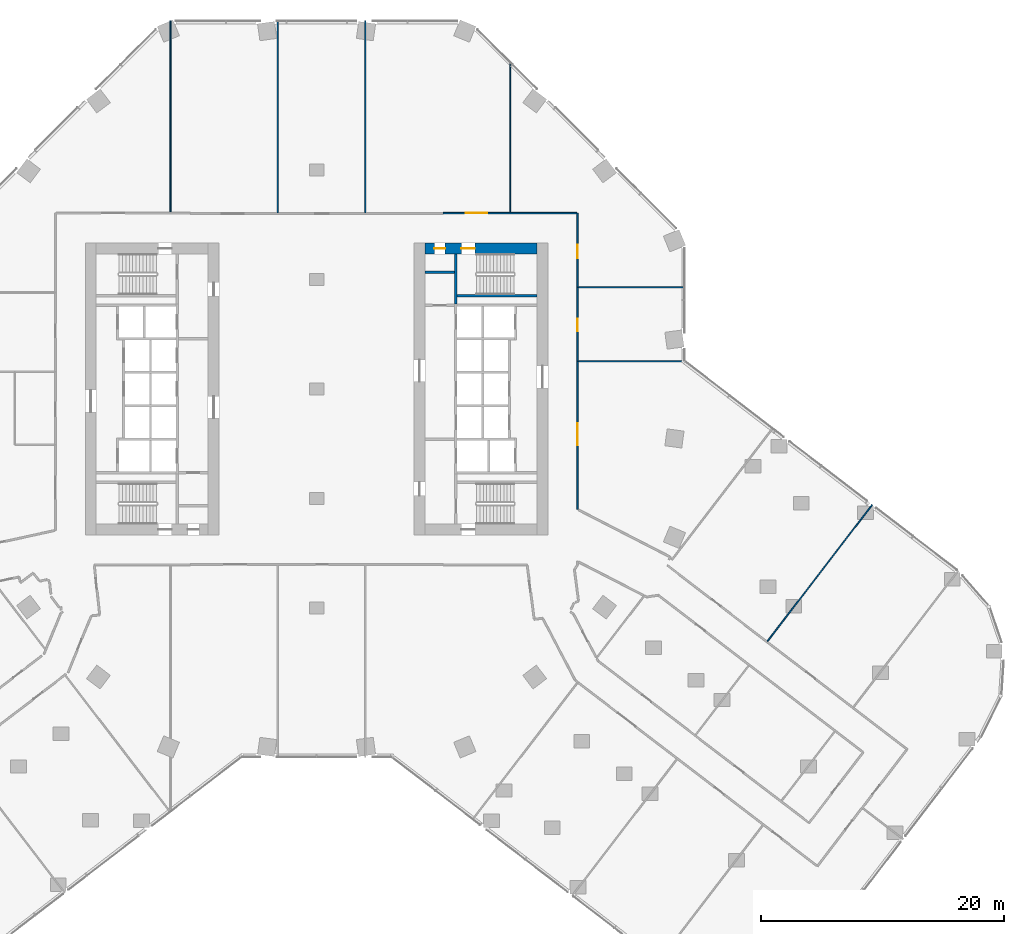
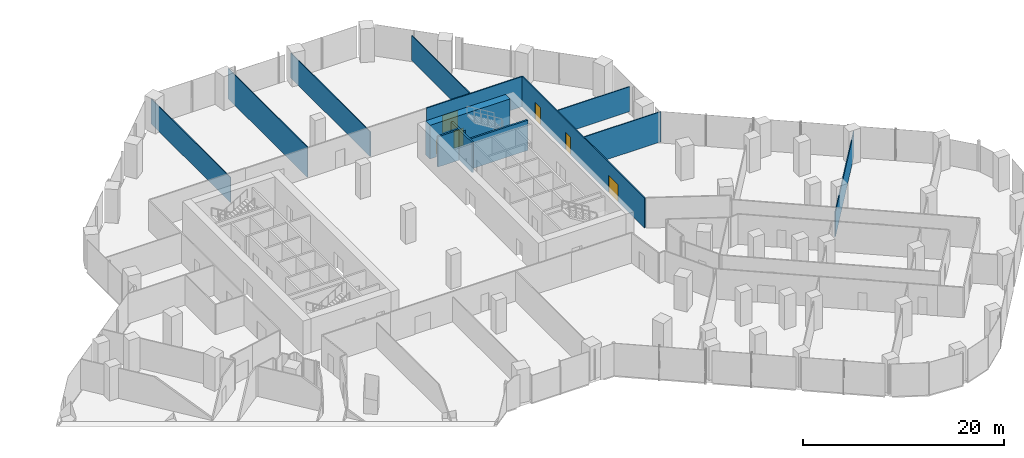
# One storey, part 26 of 29: 13 walls, 6 doors, 6 openings.
"""IFC4 building model written with IfcOpenShell, lengths in metres."""

from ifc_helpers import new_model, si_unit, direction, frame, frame_2d, origin, place, context, subcontext, project, spatial, rectangle, extrude, material, layer, layer_set, type_object, element, fill, save


model = new_model("IFC4")

# Units and contexts
model_context = context("Model", 3, precision=1e-05, world=origin(), true_north=direction((0.0, 1.0)))
body_context = subcontext(model_context, "Body", "Model", "MODEL_VIEW")
ifc_project = project(units=[si_unit("LENGTHUNIT", "METRE"), si_unit("AREAUNIT", "SQUARE_METRE"), si_unit("VOLUMEUNIT", "CUBIC_METRE"), si_unit("PLANEANGLEUNIT", "RADIAN"), si_unit("MASSUNIT", "GRAM", prefix="KILO")], contexts=[model_context])

# Site, building, storey
site_placement = place(None, origin())
site = spatial("IfcSite", under=ifc_project, at=site_placement, CompositionType="ELEMENT")
building_placement = place(site_placement, origin())
building = spatial("IfcBuilding", under=site, at=building_placement, Name="Orlundy Tower", CompositionType="ELEMENT")
storey_placement = place(building_placement, frame((0.0, 0.0, 29.199951171875)))
storey = spatial("IfcBuildingStorey", under=building, at=storey_placement, Name="L05", CompositionType="ELEMENT", Elevation=29.199951171875)

# Wall, openings, doors
ifc_material_1 = material(Name="Concrete C80/95", Category="concrete")
ifc_layer_1 = layer(ifc_material_1, 0.89990234375)
ifc_layer_set_1 = layer_set([ifc_layer_1], Name="CORE WALL 900 C80/95")
wall_type_1 = type_object("IfcWallType", Name="CORE WALL 900 C80/95", PredefinedType="SHEAR", material=ifc_layer_set_1)
wall_1_placement = place(storey_placement, frame((8.89990234375, 11.550048828125, 0.0), z_axis=(0.0, 0.0, 1.0), x_axis=(1.0, 0.0, 0.0)))
wall_1 = element("IfcWall", 1, at=wall_1_placement, inside=storey, type_object=wall_type_1, Name="Core wall E-N L05", PredefinedType="SHEAR", context=body_context, shape_type="SweptSolid", body=[
    extrude(rectangle(XDim=9.2001953125, YDim=0.89990234375, at=frame_2d((4.60009765625, 0.0))), origin(), (0.0, 0.0, 1.0), 4.10009765625),
])
opening_1_placement = place(wall_1_placement, frame((3.0, 0.0, 0.0)))
opening_1 = element("IfcOpeningElement", 2, at=opening_1_placement, cuts=wall_1, Name="Opening 06062", PredefinedType="OPENING", context=body_context, shape_type="SweptSolid", body=[
    extrude(rectangle(XDim=1.10009765625, YDim=2.10009765625, at=frame_2d((0.550048828125, 1.050048828125))), frame((0.0, 0.4599609375, 0.0), z_axis=(0.0, -1.0, 0.0), x_axis=(1.0, 0.0, 0.0)), (0.0, 0.0, 1.0), 0.919921875),
])
opening_2_placement = place(wall_1_placement, frame((0.77001953125, 0.0, 0.0)))
opening_2 = element("IfcOpeningElement", 3, at=opening_2_placement, cuts=wall_1, Name="Opening 06064", PredefinedType="OPENING", context=body_context, shape_type="SweptSolid", body=[
    extrude(rectangle(XDim=0.89990234375, YDim=2.10009765625, at=frame_2d((0.449951171875, 1.050048828125))), frame((0.0, 0.4599609375, 0.0), z_axis=(0.0, -1.0, 0.0), x_axis=(1.0, 0.0, 0.0)), (0.0, 0.0, 1.0), 0.919921875),
])
ifc_material_2 = material(Name="Timber door set", Category="wood")
door_type_1 = type_object("IfcDoorType", Name="Room Door 900x2100", OperationType="SINGLE_SWING_LEFT", PredefinedType="DOOR", material=ifc_material_2)
door_1_placement = place(opening_2_placement, origin())
door_1 = element("IfcDoor", 4, at=door_1_placement, inside=storey, type_object=door_type_1, Name="Store door 06064", OperationType="SINGLE_SWING_LEFT", OverallHeight=2.10009765625, OverallWidth=0.89990234375, PredefinedType="DOOR", context=body_context, shape_type="SweptSolid", body=[
    extrude(rectangle(XDim=0.89990234375, YDim=2.10009765625, at=frame_2d((0.449951171875, 1.050048828125))), frame((0.0, 0.02490234375, 0.0), z_axis=(0.0, -1.0, 0.0), x_axis=(1.0, 0.0, 0.0)), (0.0, 0.0, 1.0), 0.050048828125),
])
fill(opening_2, door_1)
ifc_material_3 = material(Name="Steel door set", Category="steel")
door_type_2 = type_object("IfcDoorType", Name="Stair Door 1100x2100", OperationType="SINGLE_SWING_LEFT", PredefinedType="DOOR", material=ifc_material_3)
door_2_placement = place(opening_1_placement, origin())
door_2 = element("IfcDoor", 5, at=door_2_placement, inside=storey, type_object=door_type_2, Name="Stair door 06062", OperationType="SINGLE_SWING_LEFT", OverallHeight=2.10009765625, OverallWidth=1.10009765625, PredefinedType="DOOR", context=body_context, shape_type="SweptSolid", body=[
    extrude(rectangle(XDim=1.10009765625, YDim=2.10009765625, at=frame_2d((0.550048828125, 1.050048828125))), frame((0.0, 0.02490234375, 0.0), z_axis=(0.0, -1.0, 0.0), x_axis=(1.0, 0.0, 0.0)), (0.0, 0.0, 1.0), 0.050048828125),
])
fill(opening_1, door_2)

# Walls
ifc_material_4 = material(Name="Gypsum board partition")
ifc_layer_2 = layer(ifc_material_4, 0.10009765625)
ifc_layer_set_2 = layer_set([ifc_layer_2], Name="Floor partition 100")
wall_type_2 = type_object("IfcWallType", Name="Floor partition 100", PredefinedType="PARTITIONING", material=ifc_layer_set_2)
wall_2_placement = place(storey_placement, frame((21.511962890625, 2.278076171875, 0.0), z_axis=(0.0, 0.0, 1.0), x_axis=(1.0, 0.0, 0.0)))
element("IfcWall", 6, at=wall_2_placement, inside=storey, type_object=wall_type_2, Name="wall-int-L05-045", PredefinedType="PARTITIONING", context=body_context, shape_type="SweptSolid", body=[
    extrude(rectangle(XDim=8.783935546875, YDim=0.10009765625, at=frame_2d((4.39208984375, 0.0))), origin(), (0.0, 0.0, 1.0), 3.66015625),
])
wall_3_placement = place(storey_placement, frame((-3.195068359375, 14.462890625, 0.0), z_axis=(0.0, 0.0, 1.0), x_axis=(0.0, 1.0, 0.0)))
element("IfcWall", 7, at=wall_3_placement, inside=storey, type_object=wall_type_2, Name="wall-int-L05-096", PredefinedType="PARTITIONING", context=body_context, shape_type="SweptSolid", body=[
    extrude(rectangle(XDim=15.787109375, YDim=0.10009765625, at=frame_2d((7.8935546875, 0.0))), origin(), (0.0, 0.0, 1.0), 3.66015625),
])
ifc_material_5 = material(Name="Gypsum board partition")
ifc_layer_3 = layer(ifc_material_5, 0.10009765625)
ifc_layer_set_3 = layer_set([ifc_layer_3], Name="Floor partition 100 B")
wall_type_3 = type_object("IfcWallType", Name="Floor partition 100 B", PredefinedType="PARTITIONING", material=ifc_layer_set_3)
wall_4_placement = place(storey_placement, frame((21.511962890625, 8.363037109375, 0.0), z_axis=(0.0, 0.0, 1.0), x_axis=(1.0, 0.0, 0.0)))
element("IfcWall", 8, at=wall_4_placement, inside=storey, type_object=wall_type_3, Name="wall-int-L05-047", PredefinedType="PARTITIONING", context=body_context, shape_type="SweptSolid", body=[
    extrude(rectangle(XDim=8.738037109375, YDim=0.10009765625, at=frame_2d((4.369140625, 0.0))), origin(), (0.0, 0.0, 1.0), 3.025146484375),
])
wall_5_placement = place(storey_placement, frame((37.0419921875, -20.718017578125, 0.0), z_axis=(0.0, 0.0, 1.0), x_axis=(0.608775561638, 0.793342495743, 0.0)))
element("IfcWall", 9, at=wall_5_placement, inside=storey, type_object=wall_type_3, Name="wall-int-L05-081", PredefinedType="PARTITIONING", context=body_context, shape_type="SweptSolid", body=[
    extrude(rectangle(XDim=14.136474609375, YDim=0.10009765625, at=frame_2d((7.068359375, 0.0))), origin(), (0.0, 0.0, 1.0), 3.025146484375),
])
wall_6_placement = place(storey_placement, frame((15.9208984375, 14.513916015625, 0.0), z_axis=(0.0, 0.0, 1.0), x_axis=(0.0, 1.0, 0.0)))
element("IfcWall", 10, at=wall_6_placement, inside=storey, type_object=wall_type_3, Name="wall-int-L05-092", PredefinedType="PARTITIONING", context=body_context, shape_type="SweptSolid", body=[
    extrude(rectangle(XDim=12.344970703125, YDim=0.10009765625, at=frame_2d((6.17236328125, 0.0))), origin(), (0.0, 0.0, 1.0), 3.025146484375),
])
wall_7_placement = place(storey_placement, frame((4.0, 14.462890625, 0.0), z_axis=(0.0, 0.0, 1.0), x_axis=(0.0, 1.0, 0.0)))
element("IfcWall", 11, at=wall_7_placement, inside=storey, type_object=wall_type_3, Name="wall-int-L05-094", PredefinedType="PARTITIONING", context=body_context, shape_type="SweptSolid", body=[
    extrude(rectangle(XDim=15.787109375, YDim=0.10009765625, at=frame_2d((7.8935546875, 0.0))), origin(), (0.0, 0.0, 1.0), 3.025146484375),
])
wall_8_placement = place(storey_placement, frame((-12.0, 14.513916015625, 0.0), z_axis=(0.0, 0.0, 1.0), x_axis=(0.0, 1.0, 0.0)))
element("IfcWall", 12, at=wall_8_placement, inside=storey, type_object=wall_type_3, Name="wall-int-L05-098", PredefinedType="PARTITIONING", context=body_context, shape_type="SweptSolid", body=[
    extrude(rectangle(XDim=15.736083984375, YDim=0.10009765625, at=frame_2d((7.8681640625, 0.0))), origin(), (0.0, 0.0, 1.0), 3.025146484375),
])

# Wall, opening, door
ifc_material_6 = material(Name="Gypsum board partition, double layer")
ifc_layer_4 = layer(ifc_material_6, 0.125)
ifc_layer_set_4 = layer_set([ifc_layer_4], Name="Floor partition 125")
wall_type_4 = type_object("IfcWallType", Name="Floor partition 125", PredefinedType="PARTITIONING", material=ifc_layer_set_4)
wall_9_placement = place(storey_placement, frame((10.39111328125, 14.450927734375, 0.0), z_axis=(0.0, 0.0, 1.0), x_axis=(1.0, 0.0, 0.0)))
wall_9 = element("IfcWall", 13, at=wall_9_placement, inside=storey, type_object=wall_type_4, Name="wall-int-L05-050", PredefinedType="PARTITIONING", context=body_context, shape_type="SweptSolid", body=[
    extrude(rectangle(XDim=10.995849609375, YDim=0.125, at=frame_2d((5.498046875, 0.0))), origin(), (0.0, 0.0, 1.0), 3.66015625),
])
opening_3_placement = place(wall_9_placement, frame((1.85009765625, 0.0, 0.0)))
opening_3 = element("IfcOpeningElement", 14, at=opening_3_placement, cuts=wall_9, Name="Opening 06134", PredefinedType="OPENING", context=body_context, shape_type="SweptSolid", body=[
    extrude(rectangle(XDim=1.800048828125, YDim=2.10009765625, at=frame_2d((0.89990234375, 1.050048828125))), frame((0.0, 0.072509765625, 0.0), z_axis=(0.0, -1.0, 0.0), x_axis=(1.0, 0.0, 0.0)), (0.0, 0.0, 1.0), 0.14501953125),
])
ifc_material_7 = material(Name="Timber door leaf", Category="wood")
door_type_3 = type_object("IfcDoorType", Name="Floor door double 1800 FD30S", OperationType="NOTDEFINED", PredefinedType="DOOR", material=ifc_material_7)
door_3_placement = place(opening_3_placement, origin())
door_3 = element("IfcDoor", 15, at=door_3_placement, inside=storey, type_object=door_type_3, Name="Door 06134", OperationType="DOUBLE_DOOR_SINGLE_SWING", OverallHeight=2.10009765625, OverallWidth=1.800048828125, PredefinedType="DOOR", context=body_context, shape_type="SweptSolid", body=[
    extrude(rectangle(XDim=1.800048828125, YDim=2.10009765625, at=frame_2d((0.89990234375, 1.050048828125))), frame((0.0, 0.02490234375, 0.0), z_axis=(0.0, -1.0, 0.0), x_axis=(1.0, 0.0, 0.0)), (0.0, 0.0, 1.0), 0.050048828125),
])
fill(opening_3, door_3)

# Wall, openings, doors
wall_10_placement = place(storey_placement, frame((21.449951171875, 14.450927734375, 0.0), z_axis=(0.0, 0.0, 1.0), x_axis=(0.0, -1.0, 0.0)))
wall_10 = element("IfcWall", 16, at=wall_10_placement, inside=storey, type_object=wall_type_4, Name="wall-int-L05-091", PredefinedType="PARTITIONING", context=body_context, shape_type="SweptSolid", body=[
    extrude(rectangle(XDim=24.343994140625, YDim=0.125, at=frame_2d((12.171875, 0.0))), origin(), (0.0, 0.0, 1.0), 3.66015625),
])
opening_4_placement = place(wall_10_placement, frame((17.27294921875, 0.0, 0.0)))
opening_4 = element("IfcOpeningElement", 17, at=opening_4_placement, cuts=wall_10, Name="Opening 06131", PredefinedType="OPENING", context=body_context, shape_type="SweptSolid", body=[
    extrude(rectangle(XDim=1.800048828125, YDim=2.10009765625, at=frame_2d((0.89990234375, 1.050048828125))), frame((0.0, 0.072509765625, 0.0), z_axis=(0.0, -1.0, 0.0), x_axis=(1.0, 0.0, 0.0)), (0.0, 0.0, 1.0), 0.14501953125),
])
opening_5_placement = place(wall_10_placement, frame((8.68798828125, 0.0, 0.0)))
opening_5 = element("IfcOpeningElement", 18, at=opening_5_placement, cuts=wall_10, Name="Opening 06132", PredefinedType="OPENING", context=body_context, shape_type="SweptSolid", body=[
    extrude(rectangle(XDim=1.0, YDim=2.10009765625, at=frame_2d((0.5, 1.050048828125))), frame((0.0, 0.072509765625, 0.0), z_axis=(0.0, -1.0, 0.0), x_axis=(1.0, 0.0, 0.0)), (0.0, 0.0, 1.0), 0.14501953125),
])
opening_6_placement = place(wall_10_placement, frame((2.60009765625, 0.0, 0.0)))
opening_6 = element("IfcOpeningElement", 19, at=opening_6_placement, cuts=wall_10, Name="Opening 06133", PredefinedType="OPENING", context=body_context, shape_type="SweptSolid", body=[
    extrude(rectangle(XDim=1.10009765625, YDim=2.10009765625, at=frame_2d((0.550048828125, 1.050048828125))), frame((0.0, 0.072509765625, 0.0), z_axis=(0.0, -1.0, 0.0), x_axis=(1.0, 0.0, 0.0)), (0.0, 0.0, 1.0), 0.14501953125),
])
door_4_placement = place(opening_4_placement, origin())
door_4 = element("IfcDoor", 20, at=door_4_placement, inside=storey, type_object=door_type_3, Name="Door 06131", OperationType="DOUBLE_DOOR_SINGLE_SWING", OverallHeight=2.10009765625, OverallWidth=1.800048828125, PredefinedType="DOOR", context=body_context, shape_type="SweptSolid", body=[
    extrude(rectangle(XDim=1.800048828125, YDim=2.10009765625, at=frame_2d((0.89990234375, 1.050048828125))), frame((0.0, 0.02490234375, 0.0), z_axis=(0.0, -1.0, 0.0), x_axis=(1.0, 0.0, 0.0)), (0.0, 0.0, 1.0), 0.050048828125),
])
fill(opening_4, door_4)
ifc_material_8 = material(Name="Timber door leaf", Category="wood")
door_type_4 = type_object("IfcDoorType", Name="Floor door wide 1000 FD30S", OperationType="NOTDEFINED", PredefinedType="DOOR", material=ifc_material_8)
door_5_placement = place(opening_5_placement, origin())
door_5 = element("IfcDoor", 21, at=door_5_placement, inside=storey, type_object=door_type_4, Name="Door 06132", OperationType="SINGLE_SWING_LEFT", OverallHeight=2.10009765625, OverallWidth=1.0, PredefinedType="DOOR", context=body_context, shape_type="SweptSolid", body=[
    extrude(rectangle(XDim=1.0, YDim=2.10009765625, at=frame_2d((0.5, 1.050048828125))), frame((0.0, 0.02490234375, 0.0), z_axis=(0.0, -1.0, 0.0), x_axis=(1.0, 0.0, 0.0)), (0.0, 0.0, 1.0), 0.050048828125),
])
fill(opening_5, door_5)
ifc_material_9 = material(Name="Timber door leaf", Category="wood")
door_type_5 = type_object("IfcDoorType", Name="Floor door xwide 1100 FD30S", OperationType="NOTDEFINED", PredefinedType="DOOR", material=ifc_material_9)
door_6_placement = place(opening_6_placement, origin())
door_6 = element("IfcDoor", 22, at=door_6_placement, inside=storey, type_object=door_type_5, Name="Door 06133", OperationType="SINGLE_SWING_LEFT", OverallHeight=2.10009765625, OverallWidth=1.10009765625, PredefinedType="DOOR", context=body_context, shape_type="SweptSolid", body=[
    extrude(rectangle(XDim=1.10009765625, YDim=2.10009765625, at=frame_2d((0.550048828125, 1.050048828125))), frame((0.0, 0.02490234375, 0.0), z_axis=(0.0, -1.0, 0.0), x_axis=(1.0, 0.0, 0.0)), (0.0, 0.0, 1.0), 0.050048828125),
])
fill(opening_6, door_6)

# Walls
ifc_material_10 = material(Name="Concrete C40/50", Category="concrete")
ifc_layer_5 = layer(ifc_material_10, 0.199951171875)
ifc_layer_set_5 = layer_set([ifc_layer_5], Name="Load-bearing Shaft Wall 200")
wall_type_5 = type_object("IfcWallType", Name="Load-bearing Shaft Wall 200", PredefinedType="SOLIDWALL", material=ifc_layer_set_5)
wall_11_placement = place(storey_placement, frame((11.43994140625, 11.10009765625, 0.0), z_axis=(0.0, 0.0, 1.0), x_axis=(0.0, -1.0, 0.0)))
element("IfcWall", 23, at=wall_11_placement, inside=storey, type_object=wall_type_5, Name="Shaft wall E06-stair-end-s", PredefinedType="SOLIDWALL", context=body_context, shape_type="SweptSolid", body=[
    extrude(rectangle(XDim=4.125, YDim=0.199951171875, at=frame_2d((2.0625, 0.0))), origin(), (0.0, 0.0, 1.0), 3.679931640625),
])
wall_12_placement = place(storey_placement, frame((11.5400390625, 7.64990234375, 0.0), z_axis=(0.0, 0.0, 1.0), x_axis=(1.0, 0.0, 0.0)))
element("IfcWall", 24, at=wall_12_placement, inside=storey, type_object=wall_type_5, Name="Shaft wall E06-stair-side-s", PredefinedType="SOLIDWALL", context=body_context, shape_type="SweptSolid", body=[
    extrude(rectangle(XDim=6.56005859375, YDim=0.199951171875, at=frame_2d((3.280029296875, 0.0))), origin(), (0.0, 0.0, 1.0), 3.679931640625),
])
ifc_material_11 = material(Name="Gypsum board partition on steel studs", Category="steel")
ifc_layer_6 = layer(ifc_material_11, 0.199951171875)
ifc_layer_set_6 = layer_set([ifc_layer_6], Name="Partition 200")
wall_type_6 = type_object("IfcWallType", Name="Partition 200", PredefinedType="PARTITIONING", material=ifc_layer_set_6)
wall_13_placement = place(storey_placement, frame((8.89990234375, 9.60009765625, 0.0), z_axis=(0.0, 0.0, 1.0), x_axis=(1.0, 0.0, 0.0)))
element("IfcWall", 25, at=wall_13_placement, inside=storey, type_object=wall_type_6, Name="Partition wall E06-room-s0", PredefinedType="PARTITIONING", context=body_context, shape_type="SweptSolid", body=[
    extrude(rectangle(XDim=2.440185546875, YDim=0.199951171875, at=frame_2d((1.22021484375, 0.0))), origin(), (0.0, 0.0, 1.0), 3.679931640625),
])

save(model, "model.ifc")
